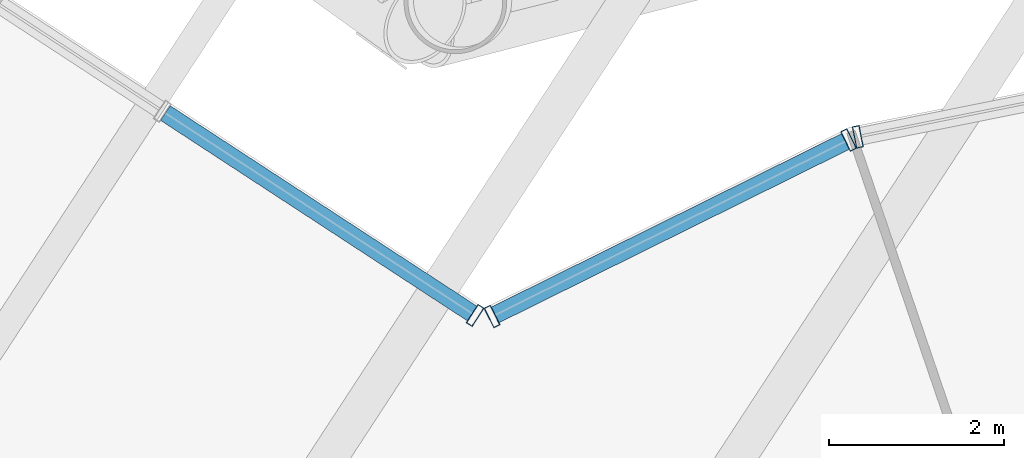
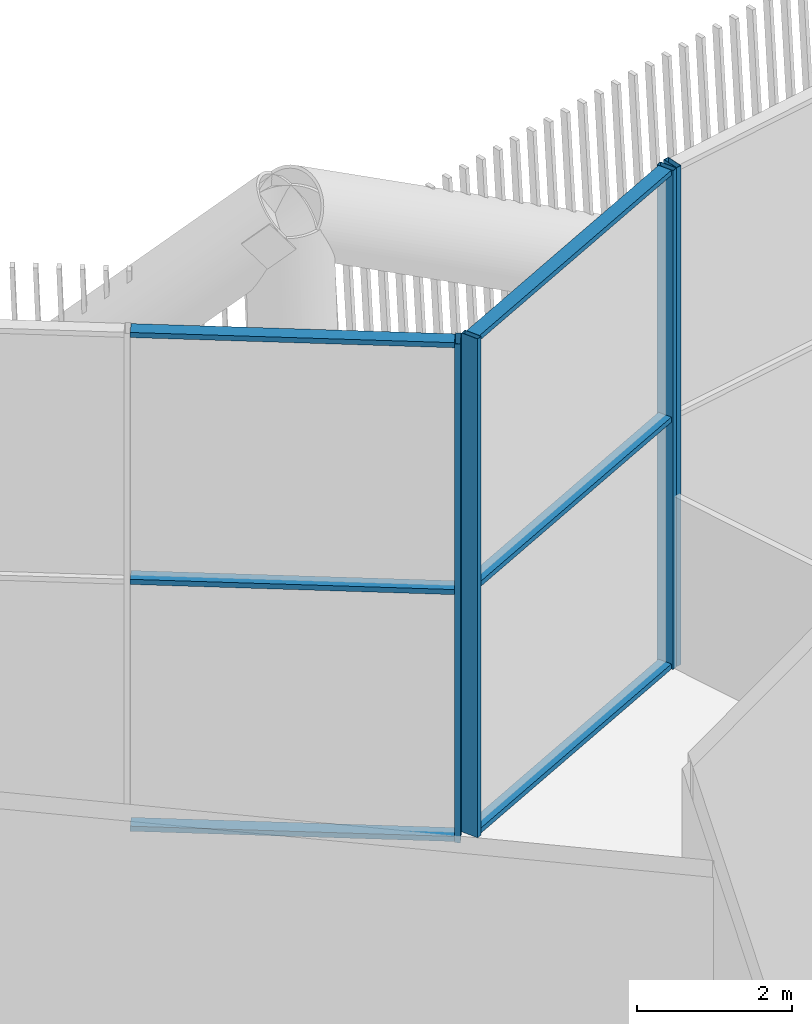
# One storey, part 31 of 63: 10 members, 3 elements without a shape of their own.
"""IFC4 building model written with IfcOpenShell, lengths in metres."""

from ifc_helpers import new_model, si_unit, direction, frame, origin, origin_2d, place, context, subcontext, project, spatial, hollow_rectangle, extrude, material, layer, layer_set, material_profile, profile_set, type_object, element, aggregate, save


model = new_model("IFC4")

# Units and contexts
model_context = context("Model", 3, precision=1e-05, world=origin(), true_north=direction((0.0, 1.0)))
body_context = subcontext(model_context, "Body", "Model", "MODEL_VIEW")
ifc_project = project(units=[si_unit("LENGTHUNIT", "METRE"), si_unit("AREAUNIT", "SQUARE_METRE"), si_unit("VOLUMEUNIT", "CUBIC_METRE"), si_unit("PLANEANGLEUNIT", "RADIAN"), si_unit("MASSUNIT", "GRAM", prefix="KILO")], contexts=[model_context])

# Site, building, storey
site_placement = place(None, origin())
site = spatial("IfcSite", under=ifc_project, at=site_placement, CompositionType="ELEMENT")
building_placement = place(site_placement, origin())
building = spatial("IfcBuilding", under=site, at=building_placement, Name="Tarsis Ring Headquarters", CompositionType="ELEMENT")
storey_placement = place(building_placement, frame((0.0, 0.0, 139.60009765625)))
storey = spatial("IfcBuildingStorey", under=building, at=storey_placement, Name="L32", CompositionType="ELEMENT", Elevation=139.60009765625)

# Curtain wall, member
ifc_material_1 = material(Name="Aluminium curtain wall", Category="aluminium")
ifc_layer = layer(ifc_material_1, 0.25)
ifc_layer_set = layer_set([ifc_layer], Name="Curtain wall sky lobby")
curtain_wall_type = type_object("IfcCurtainWallType", Name="Curtain wall sky lobby", PredefinedType="NOTDEFINED", material=ifc_layer_set)
curtain_wall_1_placement = place(storey_placement, origin())
curtain_wall_1 = element("IfcCurtainWall", 1, at=curtain_wall_1_placement, inside=storey, type_object=curtain_wall_type, Name="Curtain wall L32-29", PredefinedType="NOTDEFINED")
ifc_material_2 = material(Name="Aluminium mullion", Category="aluminium")
ifc_material_profile_1 = material_profile(ifc_material_2, hollow_rectangle(XDim=0.25, YDim=0.080078125, WallThickness=0.0048828125, at=origin_2d()), Name="RHS 250x80x5")
ifc_profile_set_1 = profile_set([ifc_material_profile_1], Name="Aluminium mullion")
member_type_1 = type_object("IfcMemberType", Name="Curtain wall mullion sky lobby RHS 250x80x5", PredefinedType="MULLION", material=ifc_profile_set_1)
member_1_placement = place(storey_placement, frame((-8.300048828125, 24.498779296875, 0.0), z_axis=(0.0, 0.0, 1.0), x_axis=(0.196630671205, -0.980477628068, 0.0)))
member_1 = element("IfcMember", 2, at=member_1_placement, type_object=member_type_1, Name="CW-S mullion 2", PredefinedType="MULLION", context=body_context, shape_type="SweptSolid", body=[
    extrude(hollow_rectangle(XDim=0.25, YDim=0.080078125, WallThickness=0.0048828125, at=origin_2d()), origin(), (0.0, 0.0, 1.0), 7.83984375),
])
aggregate(curtain_wall_1, [member_1])

# Curtain wall, members
curtain_wall_2_placement = place(storey_placement, origin())
curtain_wall_2 = element("IfcCurtainWall", 3, at=curtain_wall_2_placement, inside=storey, type_object=curtain_wall_type, Name="Curtain wall L32-30", PredefinedType="NOTDEFINED")
member_2_placement = place(storey_placement, frame((-8.406005859375, 24.462646484375, 0.0), z_axis=(0.0, 0.0, 1.0), x_axis=(0.443696790779, -0.896176967932, 0.0)))
member_2 = element("IfcMember", 4, at=member_2_placement, type_object=member_type_1, Name="CW-S mullion 1", PredefinedType="MULLION", context=body_context, shape_type="SweptSolid", body=[
    extrude(hollow_rectangle(XDim=0.25, YDim=0.080078125, WallThickness=0.0048828125, at=origin_2d()), origin(), (0.0, 0.0, 1.0), 7.83984375),
])
member_3_placement = place(storey_placement, frame((-12.47265625, 22.44921875, 0.0), z_axis=(0.0, 0.0, 1.0), x_axis=(0.443696790779, -0.896176967932, 0.0)))
member_3 = element("IfcMember", 5, at=member_3_placement, type_object=member_type_1, Name="CW-S mullion 2", PredefinedType="MULLION", context=body_context, shape_type="SweptSolid", body=[
    extrude(hollow_rectangle(XDim=0.25, YDim=0.080078125, WallThickness=0.0048828125, at=origin_2d()), origin(), (0.0, 0.0, 1.0), 7.83984375),
])

# Curtain wall, member
curtain_wall_3_placement = place(storey_placement, origin())
curtain_wall_3 = element("IfcCurtainWall", 6, at=curtain_wall_3_placement, inside=storey, type_object=curtain_wall_type, Name="Curtain wall L32-31", PredefinedType="NOTDEFINED")
member_4_placement = place(storey_placement, frame((-12.665771484375, 22.460693359375, 0.0), z_axis=(0.0, 0.0, 1.0), x_axis=(-0.546978862274, -0.837146417436, 0.0)))
member_4 = element("IfcMember", 7, at=member_4_placement, type_object=member_type_1, Name="CW-S mullion 1", PredefinedType="MULLION", context=body_context, shape_type="SweptSolid", body=[
    extrude(hollow_rectangle(XDim=0.25, YDim=0.080078125, WallThickness=0.0048828125, at=origin_2d()), origin(), (0.0, 0.0, 1.0), 7.83984375),
])

# Member
ifc_material_3 = material(Name="Aluminium transom", Category="aluminium")
ifc_material_profile_2 = material_profile(ifc_material_3, hollow_rectangle(XDim=0.199951171875, YDim=0.080078125, WallThickness=0.0048828125, at=origin_2d()), Name="RHS 200x80x5")
ifc_profile_set_2 = profile_set([ifc_material_profile_2], Name="Aluminium transom")
member_type_2 = type_object("IfcMemberType", Name="Curtain wall transom sky lobby RHS 200x80x5", PredefinedType="USERDEFINED", material=ifc_profile_set_2)
member_5_placement = place(storey_placement, frame((-8.44189453125, 24.44482421875, 0.039794921875), z_axis=(-0.896183795627, -0.443682999962, 0.0), x_axis=(0.443682999962, -0.896183795627, 0.0)))
member_5 = element("IfcMember", 8, at=member_5_placement, type_object=member_type_2, Name="CW-S transom 1.1", ObjectType="TRANSOM", PredefinedType="USERDEFINED", context=body_context, shape_type="SweptSolid", body=[
    extrude(hollow_rectangle(XDim=0.199951171875, YDim=0.080078125, WallThickness=0.0048828125, at=origin_2d()), origin(), (0.0, 0.0, 1.0), 4.457763671875),
])

member_6_placement = place(storey_placement, frame((-8.44189453125, 24.44482421875, 3.919921875), z_axis=(-0.896183795627, -0.443682999962, 0.0), x_axis=(0.443682999962, -0.896183795627, 0.0)))
member_6 = element("IfcMember", 9, at=member_6_placement, type_object=member_type_2, Name="CW-S transom 1.2", ObjectType="TRANSOM", PredefinedType="USERDEFINED", context=body_context, shape_type="SweptSolid", body=[
    extrude(hollow_rectangle(XDim=0.199951171875, YDim=0.080078125, WallThickness=0.0048828125, at=origin_2d()), origin(), (0.0, 0.0, 1.0), 4.457763671875),
])

member_7_placement = place(storey_placement, frame((-8.44189453125, 24.44482421875, 7.7998046875), z_axis=(-0.896183795627, -0.443682999962, 0.0), x_axis=(0.443682999962, -0.896183795627, 0.0)))
member_7 = element("IfcMember", 10, at=member_7_placement, type_object=member_type_2, Name="CW-S transom 1.3", ObjectType="TRANSOM", PredefinedType="USERDEFINED", context=body_context, shape_type="SweptSolid", body=[
    extrude(hollow_rectangle(XDim=0.199951171875, YDim=0.080078125, WallThickness=0.0048828125, at=origin_2d()), origin(), (0.0, 0.0, 1.0), 4.457763671875),
])

aggregate(curtain_wall_2, [member_2, member_3, member_5, member_6, member_7])

member_8_placement = place(storey_placement, frame((-12.69921875, 22.482666015625, 0.039794921875), z_axis=(-0.837153721008, 0.546967684057, 0.0), x_axis=(-0.546967684057, -0.837153721008, 0.0)))
member_8 = element("IfcMember", 11, at=member_8_placement, type_object=member_type_2, Name="CW-S transom 1.1", ObjectType="TRANSOM", PredefinedType="USERDEFINED", context=body_context, shape_type="SweptSolid", body=[
    extrude(hollow_rectangle(XDim=0.199951171875, YDim=0.080078125, WallThickness=0.0048828125, at=origin_2d()), origin(), (0.0, 0.0, 1.0), 4.180419921875),
])

member_9_placement = place(storey_placement, frame((-12.69921875, 22.482666015625, 3.919921875), z_axis=(-0.837153721008, 0.546967684057, 0.0), x_axis=(-0.546967684057, -0.837153721008, 0.0)))
member_9 = element("IfcMember", 12, at=member_9_placement, type_object=member_type_2, Name="CW-S transom 1.2", ObjectType="TRANSOM", PredefinedType="USERDEFINED", context=body_context, shape_type="SweptSolid", body=[
    extrude(hollow_rectangle(XDim=0.199951171875, YDim=0.080078125, WallThickness=0.0048828125, at=origin_2d()), origin(), (0.0, 0.0, 1.0), 4.180419921875),
])

member_10_placement = place(storey_placement, frame((-12.69921875, 22.482666015625, 7.7998046875), z_axis=(-0.837153721008, 0.546967684057, 0.0), x_axis=(-0.546967684057, -0.837153721008, 0.0)))
member_10 = element("IfcMember", 13, at=member_10_placement, type_object=member_type_2, Name="CW-S transom 1.3", ObjectType="TRANSOM", PredefinedType="USERDEFINED", context=body_context, shape_type="SweptSolid", body=[
    extrude(hollow_rectangle(XDim=0.199951171875, YDim=0.080078125, WallThickness=0.0048828125, at=origin_2d()), origin(), (0.0, 0.0, 1.0), 4.180419921875),
])

aggregate(curtain_wall_3, [member_4, member_8, member_9, member_10])

save(model, "model.ifc")
